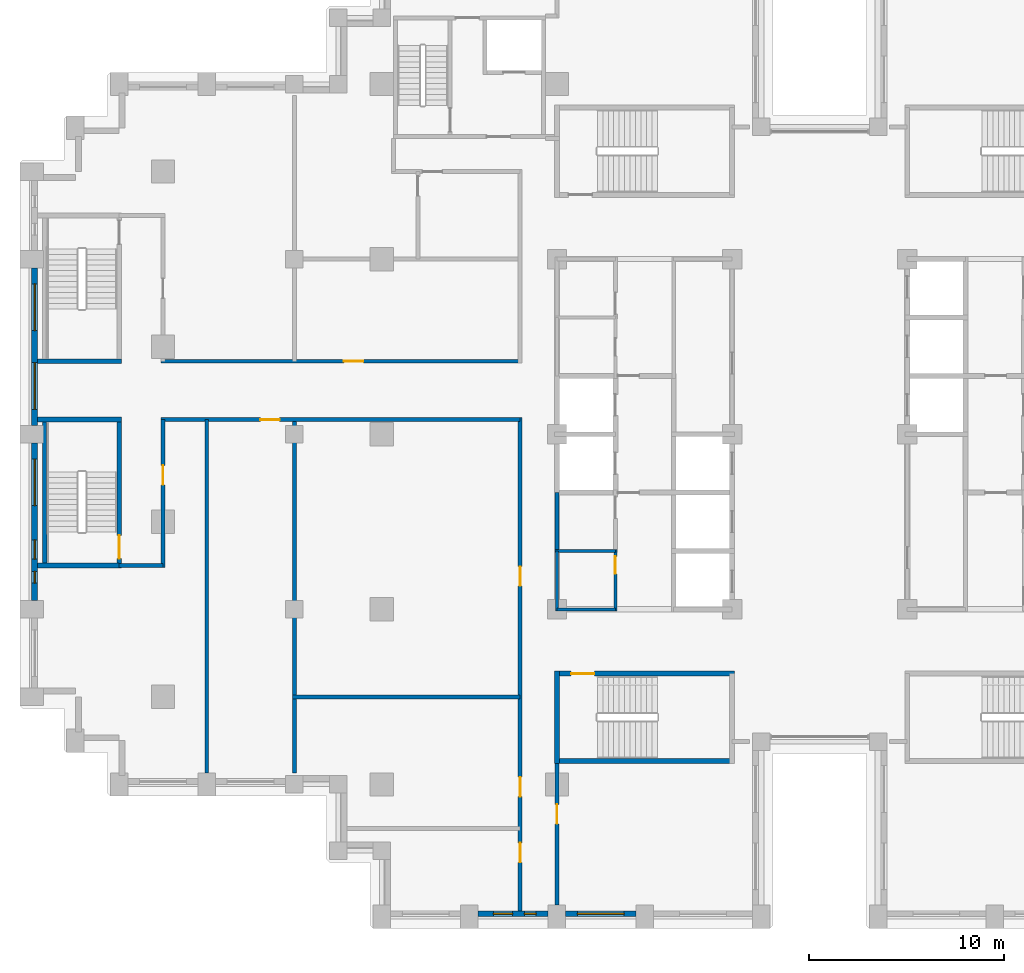
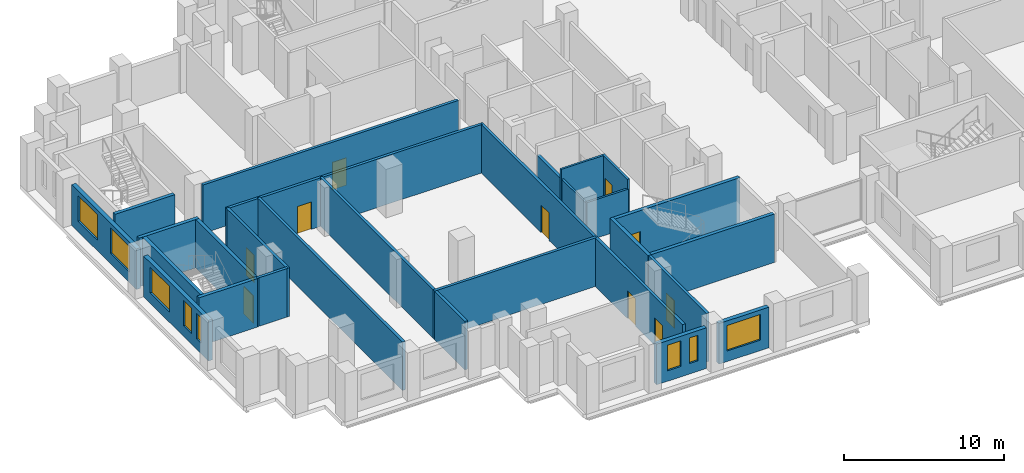
# One storey, part 6 of 15: 26 walls, 10 doors, 8 windows, 18 openings.
"""IFC4 building model written with IfcOpenShell, lengths in metres."""

from ifc_helpers import new_model, si_unit, direction, frame, frame_2d, origin, place, context, subcontext, project, spatial, rectangle, extrude, material, layer, layer_set, type_object, element, fill, save


model = new_model("IFC4")

# Units and contexts
model_context = context("Model", 3, precision=1e-05, world=origin(), true_north=direction((0.0, 1.0)))
body_context = subcontext(model_context, "Body", "Model", "MODEL_VIEW")
ifc_project = project(units=[si_unit("LENGTHUNIT", "METRE"), si_unit("AREAUNIT", "SQUARE_METRE"), si_unit("VOLUMEUNIT", "CUBIC_METRE"), si_unit("PLANEANGLEUNIT", "RADIAN"), si_unit("MASSUNIT", "GRAM", prefix="KILO")], contexts=[model_context])

# Site, building, storey
site_placement = place(None, origin())
site = spatial("IfcSite", under=ifc_project, at=site_placement, CompositionType="ELEMENT")
building_placement = place(site_placement, origin())
building = spatial("IfcBuilding", under=site, at=building_placement, Name="Corbelhall Arena Tower", CompositionType="ELEMENT")
storey_placement = place(building_placement, frame((0.0, 0.0, 84.0)))
storey = spatial("IfcBuildingStorey", under=building, at=storey_placement, Name="L13", CompositionType="ELEMENT", Elevation=84.0)

# Wall, openings, windows
ifc_material_1 = material(Name="Precast concrete C40/50 with granite facing", Category="masonry")
ifc_layer_1 = layer(ifc_material_1, 0.300048828125)
ifc_layer_set_1 = layer_set([ifc_layer_1], Name="EV-IW1 Infill panel 300")
wall_type_1 = type_object("IfcWallType", Name="EV-IW1 Infill panel 300", PredefinedType="SOLIDWALL", material=ifc_layer_set_1)
wall_1_placement = place(storey_placement, frame((-40.35009765625, 8.550048828125, 0.0), z_axis=(0.0, 0.0, 1.0), x_axis=(0.0, -1.0, 0.0)))
wall_1 = element("IfcWall", 1, at=wall_1_placement, inside=storey, type_object=wall_type_1, Name="Infill panel IW1", PredefinedType="SOLIDWALL", context=body_context, shape_type="SweptSolid", body=[
    extrude(rectangle(XDim=8.10009765625, YDim=0.300048828125, at=frame_2d((4.050048828125, 0.0))), origin(), (0.0, 0.0, 1.0), 3.10009765625),
])
opening_1_placement = place(wall_1_placement, frame((0.824951171875, 0.0, 0.800048828125)))
opening_1 = element("IfcOpeningElement", 2, at=opening_1_placement, cuts=wall_1, Name="Opening WN1", PredefinedType="OPENING", context=body_context, shape_type="SweptSolid", body=[
    extrude(rectangle(XDim=2.39990234375, YDim=1.949951171875, at=frame_2d((1.199951171875, 0.97509765625))), frame((0.0, 0.14990234375, 0.0), z_axis=(0.0, -1.0, 0.0), x_axis=(1.0, 0.0, 0.0)), (0.0, 0.0, 1.0), 0.300048828125),
])
opening_2_placement = place(wall_1_placement, frame((4.875, 0.0, 0.800048828125)))
opening_2 = element("IfcOpeningElement", 3, at=opening_2_placement, cuts=wall_1, Name="Opening WN1", PredefinedType="OPENING", context=body_context, shape_type="SweptSolid", body=[
    extrude(rectangle(XDim=2.39990234375, YDim=1.949951171875, at=frame_2d((1.199951171875, 0.97509765625))), frame((0.0, 0.14990234375, 0.0), z_axis=(0.0, -1.0, 0.0), x_axis=(1.0, 0.0, 0.0)), (0.0, 0.0, 1.0), 0.300048828125),
])
ifc_material_2 = material(Name="Aluminium black anodised", Category="aluminium")
window_type_1 = type_object("IfcWindowType", Name="EV-WN1 Office window", PartitioningType="SINGLE_PANEL", PredefinedType="WINDOW", material=ifc_material_2)
window_1_placement = place(opening_1_placement, origin())
window_1 = element("IfcWindow", 4, at=window_1_placement, inside=storey, type_object=window_type_1, Name="Window WN1", OverallHeight=1.949951171875, OverallWidth=2.39990234375, PartitioningType="SINGLE_PANEL", PredefinedType="WINDOW", context=body_context, shape_type="SweptSolid", body=[
    extrude(rectangle(XDim=2.39990234375, YDim=1.949951171875, at=frame_2d((1.199951171875, 0.97509765625))), frame((0.0, 0.030029296875, 0.0), z_axis=(0.0, -1.0, 0.0), x_axis=(1.0, 0.0, 0.0)), (0.0, 0.0, 1.0), 0.06005859375),
])
fill(opening_1, window_1)
window_2_placement = place(opening_2_placement, origin())
window_2 = element("IfcWindow", 5, at=window_2_placement, inside=storey, type_object=window_type_1, Name="Window WN1", OverallHeight=1.949951171875, OverallWidth=2.39990234375, PartitioningType="SINGLE_PANEL", PredefinedType="WINDOW", context=body_context, shape_type="SweptSolid", body=[
    extrude(rectangle(XDim=2.39990234375, YDim=1.949951171875, at=frame_2d((1.199951171875, 0.97509765625))), frame((0.0, 0.030029296875, 0.0), z_axis=(0.0, -1.0, 0.0), x_axis=(1.0, 0.0, 0.0)), (0.0, 0.0, 1.0), 0.06005859375),
])
fill(opening_2, window_2)

wall_2_placement = place(storey_placement, frame((-40.35009765625, -0.449951171875, 0.0), z_axis=(0.0, 0.0, 1.0), x_axis=(0.0, -1.0, 0.0)))
wall_2 = element("IfcWall", 6, at=wall_2_placement, inside=storey, type_object=wall_type_1, Name="Infill panel IW1", PredefinedType="SOLIDWALL", context=body_context, shape_type="SweptSolid", body=[
    extrude(rectangle(XDim=8.10009765625, YDim=0.300048828125, at=frame_2d((4.050048828125, 0.0))), origin(), (0.0, 0.0, 1.0), 3.10009765625),
])
opening_3_placement = place(wall_2_placement, frame((0.824951171875, 0.0, 0.800048828125)))
opening_3 = element("IfcOpeningElement", 7, at=opening_3_placement, cuts=wall_2, Name="Opening WN1", PredefinedType="OPENING", context=body_context, shape_type="SweptSolid", body=[
    extrude(rectangle(XDim=2.39990234375, YDim=1.949951171875, at=frame_2d((1.199951171875, 0.97509765625))), frame((0.0, 0.14990234375, 0.0), z_axis=(0.0, -1.0, 0.0), x_axis=(1.0, 0.0, 0.0)), (0.0, 0.0, 1.0), 0.300048828125),
])
opening_4_placement = place(wall_2_placement, frame((4.97509765625, 0.0, 0.800048828125)))
opening_4 = element("IfcOpeningElement", 8, at=opening_4_placement, cuts=wall_2, Name="Opening WN6", PredefinedType="OPENING", context=body_context, shape_type="SweptSolid", body=[
    extrude(rectangle(XDim=1.0, YDim=1.949951171875, at=frame_2d((0.5, 0.97509765625))), frame((0.0, 0.14990234375, 0.0), z_axis=(0.0, -1.0, 0.0), x_axis=(1.0, 0.0, 0.0)), (0.0, 0.0, 1.0), 0.300048828125),
])
opening_5_placement = place(wall_2_placement, frame((6.60009765625, 0.0, 0.800048828125)))
opening_5 = element("IfcOpeningElement", 9, at=opening_5_placement, cuts=wall_2, Name="Opening WN5", PredefinedType="OPENING", context=body_context, shape_type="SweptSolid", body=[
    extrude(rectangle(XDim=0.60009765625, YDim=1.949951171875, at=frame_2d((0.300048828125, 0.97509765625))), frame((0.0, 0.14990234375, 0.0), z_axis=(0.0, -1.0, 0.0), x_axis=(1.0, 0.0, 0.0)), (0.0, 0.0, 1.0), 0.300048828125),
])
window_3_placement = place(opening_3_placement, origin())
window_3 = element("IfcWindow", 10, at=window_3_placement, inside=storey, type_object=window_type_1, Name="Window WN1", OverallHeight=1.949951171875, OverallWidth=2.39990234375, PartitioningType="SINGLE_PANEL", PredefinedType="WINDOW", context=body_context, shape_type="SweptSolid", body=[
    extrude(rectangle(XDim=2.39990234375, YDim=1.949951171875, at=frame_2d((1.199951171875, 0.97509765625))), frame((0.0, 0.030029296875, 0.0), z_axis=(0.0, -1.0, 0.0), x_axis=(1.0, 0.0, 0.0)), (0.0, 0.0, 1.0), 0.06005859375),
])
fill(opening_3, window_3)
window_type_2 = type_object("IfcWindowType", Name="EV-WN5 Office window 600", PartitioningType="SINGLE_PANEL", PredefinedType="WINDOW", material=ifc_material_2)
window_4_placement = place(opening_5_placement, origin())
window_4 = element("IfcWindow", 11, at=window_4_placement, inside=storey, type_object=window_type_2, Name="Window WN5", OverallHeight=1.949951171875, OverallWidth=0.60009765625, PartitioningType="SINGLE_PANEL", PredefinedType="WINDOW", context=body_context, shape_type="SweptSolid", body=[
    extrude(rectangle(XDim=0.60009765625, YDim=1.949951171875, at=frame_2d((0.300048828125, 0.97509765625))), frame((0.0, 0.030029296875, 0.0), z_axis=(0.0, -1.0, 0.0), x_axis=(1.0, 0.0, 0.0)), (0.0, 0.0, 1.0), 0.06005859375),
])
fill(opening_5, window_4)
window_type_3 = type_object("IfcWindowType", Name="EV-WN6 Office window 1000", PartitioningType="SINGLE_PANEL", PredefinedType="WINDOW", material=ifc_material_2)
window_5_placement = place(opening_4_placement, origin())
window_5 = element("IfcWindow", 12, at=window_5_placement, inside=storey, type_object=window_type_3, Name="Window WN6", OverallHeight=1.949951171875, OverallWidth=1.0, PartitioningType="SINGLE_PANEL", PredefinedType="WINDOW", context=body_context, shape_type="SweptSolid", body=[
    extrude(rectangle(XDim=1.0, YDim=1.949951171875, at=frame_2d((0.5, 0.97509765625))), frame((0.0, 0.030029296875, 0.0), z_axis=(0.0, -1.0, 0.0), x_axis=(1.0, 0.0, 0.0)), (0.0, 0.0, 1.0), 0.06005859375),
])
fill(opening_4, window_5)

wall_3_placement = place(storey_placement, frame((-17.550048828125, -24.64990234375, 0.0), z_axis=(0.0, 0.0, 1.0), x_axis=(1.0, 0.0, 0.0)))
wall_3 = element("IfcWall", 13, at=wall_3_placement, inside=storey, type_object=wall_type_1, Name="Infill panel IW1", PredefinedType="SOLIDWALL", context=body_context, shape_type="SweptSolid", body=[
    extrude(rectangle(XDim=3.60009765625, YDim=0.300048828125, at=frame_2d((1.800048828125, 0.0))), origin(), (0.0, 0.0, 1.0), 3.10009765625),
])
opening_6_placement = place(wall_3_placement, frame((0.77490234375, 0.0, 0.800048828125)))
opening_6 = element("IfcOpeningElement", 14, at=opening_6_placement, cuts=wall_3, Name="Opening WN6", PredefinedType="OPENING", context=body_context, shape_type="SweptSolid", body=[
    extrude(rectangle(XDim=1.0, YDim=1.949951171875, at=frame_2d((0.5, 0.97509765625))), frame((0.0, 0.14990234375, 0.0), z_axis=(0.0, -1.0, 0.0), x_axis=(1.0, 0.0, 0.0)), (0.0, 0.0, 1.0), 0.300048828125),
])
opening_7_placement = place(wall_3_placement, frame((2.375, 0.0, 0.800048828125)))
opening_7 = element("IfcOpeningElement", 15, at=opening_7_placement, cuts=wall_3, Name="Opening WN5", PredefinedType="OPENING", context=body_context, shape_type="SweptSolid", body=[
    extrude(rectangle(XDim=0.60009765625, YDim=1.949951171875, at=frame_2d((0.300048828125, 0.97509765625))), frame((0.0, 0.14990234375, 0.0), z_axis=(0.0, -1.0, 0.0), x_axis=(1.0, 0.0, 0.0)), (0.0, 0.0, 1.0), 0.300048828125),
])
window_6_placement = place(opening_7_placement, origin())
window_6 = element("IfcWindow", 16, at=window_6_placement, inside=storey, type_object=window_type_2, Name="Window WN5", OverallHeight=1.949951171875, OverallWidth=0.60009765625, PartitioningType="SINGLE_PANEL", PredefinedType="WINDOW", context=body_context, shape_type="SweptSolid", body=[
    extrude(rectangle(XDim=0.60009765625, YDim=1.949951171875, at=frame_2d((0.300048828125, 0.97509765625))), frame((0.0, 0.030029296875, 0.0), z_axis=(0.0, -1.0, 0.0), x_axis=(1.0, 0.0, 0.0)), (0.0, 0.0, 1.0), 0.06005859375),
])
fill(opening_7, window_6)
window_7_placement = place(opening_6_placement, origin())
window_7 = element("IfcWindow", 17, at=window_7_placement, inside=storey, type_object=window_type_3, Name="Window WN6", OverallHeight=1.949951171875, OverallWidth=1.0, PartitioningType="SINGLE_PANEL", PredefinedType="WINDOW", context=body_context, shape_type="SweptSolid", body=[
    extrude(rectangle(XDim=1.0, YDim=1.949951171875, at=frame_2d((0.5, 0.97509765625))), frame((0.0, 0.030029296875, 0.0), z_axis=(0.0, -1.0, 0.0), x_axis=(1.0, 0.0, 0.0)), (0.0, 0.0, 1.0), 0.06005859375),
])
fill(opening_6, window_7)

# Wall, opening, window
wall_4_placement = place(storey_placement, frame((-13.050048828125, -24.64990234375, 0.0), z_axis=(0.0, 0.0, 1.0), x_axis=(1.0, 0.0, 0.0)))
wall_4 = element("IfcWall", 18, at=wall_4_placement, inside=storey, type_object=wall_type_1, Name="Infill panel IW1", PredefinedType="SOLIDWALL", context=body_context, shape_type="SweptSolid", body=[
    extrude(rectangle(XDim=3.60009765625, YDim=0.300048828125, at=frame_2d((1.800048828125, 0.0))), origin(), (0.0, 0.0, 1.0), 3.10009765625),
])
opening_8_placement = place(wall_4_placement, frame((0.60009765625, 0.0, 0.800048828125)))
opening_8 = element("IfcOpeningElement", 19, at=opening_8_placement, cuts=wall_4, Name="Opening WN1", PredefinedType="OPENING", context=body_context, shape_type="SweptSolid", body=[
    extrude(rectangle(XDim=2.39990234375, YDim=1.949951171875, at=frame_2d((1.199951171875, 0.97509765625))), frame((0.0, 0.14990234375, 0.0), z_axis=(0.0, -1.0, 0.0), x_axis=(1.0, 0.0, 0.0)), (0.0, 0.0, 1.0), 0.300048828125),
])
window_8_placement = place(opening_8_placement, origin())
window_8 = element("IfcWindow", 20, at=window_8_placement, inside=storey, type_object=window_type_1, Name="Window WN1", OverallHeight=1.949951171875, OverallWidth=2.39990234375, PartitioningType="SINGLE_PANEL", PredefinedType="WINDOW", context=body_context, shape_type="SweptSolid", body=[
    extrude(rectangle(XDim=2.39990234375, YDim=1.949951171875, at=frame_2d((1.199951171875, 0.97509765625))), frame((0.0, 0.030029296875, 0.0), z_axis=(0.0, -1.0, 0.0), x_axis=(1.0, 0.0, 0.0)), (0.0, 0.0, 1.0), 0.06005859375),
])
fill(opening_8, window_8)

# Wall, opening, door
ifc_material_3 = material(Name="Gypsum board on steel stud, acoustic", Category="steel")
ifc_layer_2 = layer(ifc_material_3, 0.199951171875)
ifc_layer_set_2 = layer_set([ifc_layer_2], Name="IN-W-DM200")
wall_type_2 = type_object("IfcWallType", Name="IN-W-DM200", PredefinedType="PARTITIONING", material=ifc_layer_set_2)
wall_5_placement = place(storey_placement, frame((-33.85009765625, 3.75, 0.0), z_axis=(0.0, 0.0, 1.0), x_axis=(1.0, 0.0, 0.0)))
wall_5 = element("IfcWall", 21, at=wall_5_placement, inside=storey, type_object=wall_type_2, Name="Partition 002", PredefinedType="PARTITIONING", context=body_context, shape_type="SweptSolid", body=[
    extrude(rectangle(XDim=18.4501953125, YDim=0.199951171875, at=frame_2d((9.22509765625, 0.0))), origin(), (0.0, 0.0, 1.0), 3.699951171875),
])
opening_9_placement = place(wall_5_placement, frame((9.39990234375, 0.0, 0.0)))
opening_9 = element("IfcOpeningElement", 22, at=opening_9_placement, cuts=wall_5, Name="Opening 02026", PredefinedType="OPENING", context=body_context, shape_type="SweptSolid", body=[
    extrude(rectangle(XDim=1.0, YDim=2.10009765625, at=frame_2d((0.5, 1.050048828125))), frame((0.0, 0.10009765625, 0.0), z_axis=(0.0, -1.0, 0.0), x_axis=(1.0, 0.0, 0.0)), (0.0, 0.0, 1.0), 0.199951171875),
])
ifc_material_4 = material(Name="Steel door set", Category="steel")
door_type_1 = type_object("IfcDoorType", Name="IN-D-SW100", OperationType="NOTDEFINED", PredefinedType="DOOR", material=ifc_material_4)
door_1_placement = place(opening_9_placement, origin())
door_1 = element("IfcDoor", 23, at=door_1_placement, inside=storey, type_object=door_type_1, Name="Door 026", OperationType="SINGLE_SWING_LEFT", OverallHeight=2.10009765625, OverallWidth=1.0, PredefinedType="DOOR", context=body_context, shape_type="SweptSolid", body=[
    extrude(rectangle(XDim=1.0, YDim=2.10009765625, at=frame_2d((0.5, 1.050048828125))), frame((0.0, 0.02490234375, 0.0), z_axis=(0.0, -1.0, 0.0), x_axis=(1.0, 0.0, 0.0)), (0.0, 0.0, 1.0), 0.050048828125),
])
fill(opening_9, door_1)

# Wall
wall_6_placement = place(storey_placement, frame((-33.75, -6.75, 0.0), z_axis=(0.0, 0.0, 1.0), x_axis=(-1.0, 0.0, 0.0)))
element("IfcWall", 24, at=wall_6_placement, inside=storey, type_object=wall_type_2, Name="Partition 003", PredefinedType="PARTITIONING", context=body_context, shape_type="SweptSolid", body=[
    extrude(rectangle(XDim=2.25, YDim=0.199951171875, at=frame_2d((1.125, 0.0))), origin(), (0.0, 0.0, 1.0), 3.699951171875),
])

# Wall, opening, door
wall_7_placement = place(storey_placement, frame((-33.75, 0.75, 0.0), z_axis=(0.0, 0.0, 1.0), x_axis=(0.0, -1.0, 0.0)))
wall_7 = element("IfcWall", 25, at=wall_7_placement, inside=storey, type_object=wall_type_2, Name="Partition 004", PredefinedType="PARTITIONING", context=body_context, shape_type="SweptSolid", body=[
    extrude(rectangle(XDim=7.60009765625, YDim=0.199951171875, at=frame_2d((3.800048828125, 0.0))), origin(), (0.0, 0.0, 1.0), 3.699951171875),
])
opening_10_placement = place(wall_7_placement, frame((2.35009765625, 0.0, 0.0)))
opening_10 = element("IfcOpeningElement", 26, at=opening_10_placement, cuts=wall_7, Name="Opening 02038", PredefinedType="OPENING", context=body_context, shape_type="SweptSolid", body=[
    extrude(rectangle(XDim=1.0, YDim=2.10009765625, at=frame_2d((0.5, 1.050048828125))), frame((0.0, 0.10009765625, 0.0), z_axis=(0.0, -1.0, 0.0), x_axis=(1.0, 0.0, 0.0)), (0.0, 0.0, 1.0), 0.199951171875),
])
door_2_placement = place(opening_10_placement, origin())
door_2 = element("IfcDoor", 27, at=door_2_placement, inside=storey, type_object=door_type_1, Name="Door 038", OperationType="SINGLE_SWING_LEFT", OverallHeight=2.10009765625, OverallWidth=1.0, PredefinedType="DOOR", context=body_context, shape_type="SweptSolid", body=[
    extrude(rectangle(XDim=1.0, YDim=2.10009765625, at=frame_2d((0.5, 1.050048828125))), frame((0.0, 0.02490234375, 0.0), z_axis=(0.0, -1.0, 0.0), x_axis=(1.0, 0.0, 0.0)), (0.0, 0.0, 1.0), 0.050048828125),
])
fill(opening_10, door_2)

# Wall
wall_8_placement = place(storey_placement, frame((-31.5, 0.75, 0.0), z_axis=(0.0, 0.0, 1.0), x_axis=(0.0, -1.0, 0.0)))
element("IfcWall", 28, at=wall_8_placement, inside=storey, type_object=wall_type_2, Name="Partition 006", PredefinedType="PARTITIONING", context=body_context, shape_type="SweptSolid", body=[
    extrude(rectangle(XDim=18.14990234375, YDim=0.199951171875, at=frame_2d((9.074951171875, 0.0))), origin(), (0.0, 0.0, 1.0), 3.699951171875),
])

# Wall, opening, door
wall_9_placement = place(storey_placement, frame((-15.39990234375, 0.75, 0.0), z_axis=(0.0, 0.0, 1.0), x_axis=(-1.0, 0.0, 0.0)))
wall_9 = element("IfcWall", 29, at=wall_9_placement, inside=storey, type_object=wall_type_2, Name="Partition 007", PredefinedType="PARTITIONING", context=body_context, shape_type="SweptSolid", body=[
    extrude(rectangle(XDim=18.4501953125, YDim=0.199951171875, at=frame_2d((9.22509765625, 0.0))), origin(), (0.0, 0.0, 1.0), 3.699951171875),
])
opening_11_placement = place(wall_9_placement, frame((12.35009765625, 0.0, 0.0)))
opening_11 = element("IfcOpeningElement", 30, at=opening_11_placement, cuts=wall_9, Name="Opening 02039", PredefinedType="OPENING", context=body_context, shape_type="SweptSolid", body=[
    extrude(rectangle(XDim=1.0, YDim=2.10009765625, at=frame_2d((0.5, 1.050048828125))), frame((0.0, 0.10009765625, 0.0), z_axis=(0.0, -1.0, 0.0), x_axis=(1.0, 0.0, 0.0)), (0.0, 0.0, 1.0), 0.199951171875),
])
door_3_placement = place(opening_11_placement, origin())
door_3 = element("IfcDoor", 31, at=door_3_placement, inside=storey, type_object=door_type_1, Name="Door 039", OperationType="SINGLE_SWING_RIGHT", OverallHeight=2.10009765625, OverallWidth=1.0, PredefinedType="DOOR", context=body_context, shape_type="SweptSolid", body=[
    extrude(rectangle(XDim=1.0, YDim=2.10009765625, at=frame_2d((0.5, 1.050048828125))), frame((0.0, 0.02490234375, 0.0), z_axis=(0.0, -1.0, 0.0), x_axis=(1.0, 0.0, 0.0)), (0.0, 0.0, 1.0), 0.050048828125),
])
fill(opening_11, door_3)

# Walls
wall_10_placement = place(storey_placement, frame((-27.10009765625, -13.5, 0.0), z_axis=(0.0, 0.0, 1.0), x_axis=(1.0, 0.0, 0.0)))
element("IfcWall", 32, at=wall_10_placement, inside=storey, type_object=wall_type_2, Name="Partition 008", PredefinedType="PARTITIONING", context=body_context, shape_type="SweptSolid", body=[
    extrude(rectangle(XDim=11.7001953125, YDim=0.199951171875, at=frame_2d((5.85009765625, 0.0))), origin(), (0.0, 0.0, 1.0), 3.699951171875),
])
wall_11_placement = place(storey_placement, frame((-27.0, -17.39990234375, 0.0), z_axis=(0.0, 0.0, 1.0), x_axis=(0.0, 1.0, 0.0)))
element("IfcWall", 33, at=wall_11_placement, inside=storey, type_object=wall_type_2, Name="Partition 010", PredefinedType="PARTITIONING", context=body_context, shape_type="SweptSolid", body=[
    extrude(rectangle(XDim=18.14990234375, YDim=0.199951171875, at=frame_2d((9.074951171875, 0.0))), origin(), (0.0, 0.0, 1.0), 3.699951171875),
])

# Wall, openings, doors
wall_12_placement = place(storey_placement, frame((-15.39990234375, -24.5, 0.0), z_axis=(0.0, 0.0, 1.0), x_axis=(0.0, 1.0, 0.0)))
wall_12 = element("IfcWall", 34, at=wall_12_placement, inside=storey, type_object=wall_type_2, Name="Partition 016", PredefinedType="PARTITIONING", context=body_context, shape_type="SweptSolid", body=[
    extrude(rectangle(XDim=25.35009765625, YDim=0.199951171875, at=frame_2d((12.675048828125, 0.0))), origin(), (0.0, 0.0, 1.0), 3.699951171875),
])
opening_12_placement = place(wall_12_placement, frame((2.5, 0.0, 0.0)))
opening_12 = element("IfcOpeningElement", 35, at=opening_12_placement, cuts=wall_12, Name="Opening 02029", PredefinedType="OPENING", context=body_context, shape_type="SweptSolid", body=[
    extrude(rectangle(XDim=1.0, YDim=2.10009765625, at=frame_2d((0.5, 1.050048828125))), frame((0.0, 0.10009765625, 0.0), z_axis=(0.0, -1.0, 0.0), x_axis=(1.0, 0.0, 0.0)), (0.0, 0.0, 1.0), 0.199951171875),
])
opening_13_placement = place(wall_12_placement, frame((5.875, 0.0, 0.0)))
opening_13 = element("IfcOpeningElement", 36, at=opening_13_placement, cuts=wall_12, Name="Opening 02030", PredefinedType="OPENING", context=body_context, shape_type="SweptSolid", body=[
    extrude(rectangle(XDim=1.0, YDim=2.10009765625, at=frame_2d((0.5, 1.050048828125))), frame((0.0, 0.10009765625, 0.0), z_axis=(0.0, -1.0, 0.0), x_axis=(1.0, 0.0, 0.0)), (0.0, 0.0, 1.0), 0.199951171875),
])
opening_14_placement = place(wall_12_placement, frame((16.699951171875, 0.0, 0.0)))
opening_14 = element("IfcOpeningElement", 37, at=opening_14_placement, cuts=wall_12, Name="Opening 02031", PredefinedType="OPENING", context=body_context, shape_type="SweptSolid", body=[
    extrude(rectangle(XDim=1.0, YDim=2.10009765625, at=frame_2d((0.5, 1.050048828125))), frame((0.0, 0.10009765625, 0.0), z_axis=(0.0, -1.0, 0.0), x_axis=(1.0, 0.0, 0.0)), (0.0, 0.0, 1.0), 0.199951171875),
])
door_4_placement = place(opening_12_placement, origin())
door_4 = element("IfcDoor", 38, at=door_4_placement, inside=storey, type_object=door_type_1, Name="Door 029", OperationType="SINGLE_SWING_RIGHT", OverallHeight=2.10009765625, OverallWidth=1.0, PredefinedType="DOOR", context=body_context, shape_type="SweptSolid", body=[
    extrude(rectangle(XDim=1.0, YDim=2.10009765625, at=frame_2d((0.5, 1.050048828125))), frame((0.0, 0.02490234375, 0.0), z_axis=(0.0, -1.0, 0.0), x_axis=(1.0, 0.0, 0.0)), (0.0, 0.0, 1.0), 0.050048828125),
])
fill(opening_12, door_4)
door_5_placement = place(opening_13_placement, origin())
door_5 = element("IfcDoor", 39, at=door_5_placement, inside=storey, type_object=door_type_1, Name="Door 030", OperationType="SINGLE_SWING_LEFT", OverallHeight=2.10009765625, OverallWidth=1.0, PredefinedType="DOOR", context=body_context, shape_type="SweptSolid", body=[
    extrude(rectangle(XDim=1.0, YDim=2.10009765625, at=frame_2d((0.5, 1.050048828125))), frame((0.0, 0.02490234375, 0.0), z_axis=(0.0, -1.0, 0.0), x_axis=(1.0, 0.0, 0.0)), (0.0, 0.0, 1.0), 0.050048828125),
])
fill(opening_13, door_5)
door_6_placement = place(opening_14_placement, origin())
door_6 = element("IfcDoor", 40, at=door_6_placement, inside=storey, type_object=door_type_1, Name="Door 031", OperationType="SINGLE_SWING_RIGHT", OverallHeight=2.10009765625, OverallWidth=1.0, PredefinedType="DOOR", context=body_context, shape_type="SweptSolid", body=[
    extrude(rectangle(XDim=1.0, YDim=2.10009765625, at=frame_2d((0.5, 1.050048828125))), frame((0.0, 0.02490234375, 0.0), z_axis=(0.0, -1.0, 0.0), x_axis=(1.0, 0.0, 0.0)), (0.0, 0.0, 1.0), 0.050048828125),
])
fill(opening_14, door_6)

# Wall, opening, door
wall_13_placement = place(storey_placement, frame((-13.5, -16.675048828125, 0.0), z_axis=(0.0, 0.0, 1.0), x_axis=(0.0, -1.0, 0.0)))
wall_13 = element("IfcWall", 41, at=wall_13_placement, inside=storey, type_object=wall_type_2, Name="Partition 019", PredefinedType="PARTITIONING", context=body_context, shape_type="SweptSolid", body=[
    extrude(rectangle(XDim=7.52490234375, YDim=0.199951171875, at=frame_2d((3.762451171875, 0.0))), origin(), (0.0, 0.0, 1.0), 3.699951171875),
])
opening_15_placement = place(wall_13_placement, frame((2.35009765625, 0.0, 0.0)))
opening_15 = element("IfcOpeningElement", 42, at=opening_15_placement, cuts=wall_13, Name="Opening 02024", PredefinedType="OPENING", context=body_context, shape_type="SweptSolid", body=[
    extrude(rectangle(XDim=1.0, YDim=2.10009765625, at=frame_2d((0.5, 1.050048828125))), frame((0.0, 0.10009765625, 0.0), z_axis=(0.0, -1.0, 0.0), x_axis=(1.0, 0.0, 0.0)), (0.0, 0.0, 1.0), 0.199951171875),
])
door_7_placement = place(opening_15_placement, origin())
door_7 = element("IfcDoor", 43, at=door_7_placement, inside=storey, type_object=door_type_1, Name="Door 024", OperationType="SINGLE_SWING_LEFT", OverallHeight=2.10009765625, OverallWidth=1.0, PredefinedType="DOOR", context=body_context, shape_type="SweptSolid", body=[
    extrude(rectangle(XDim=1.0, YDim=2.10009765625, at=frame_2d((0.5, 1.050048828125))), frame((0.0, 0.02490234375, 0.0), z_axis=(0.0, -1.0, 0.0), x_axis=(1.0, 0.0, 0.0)), (0.0, 0.0, 1.0), 0.050048828125),
])
fill(opening_15, door_7)

# Walls
ifc_material_5 = material(Name="Concrete block wall", Category="concrete")
ifc_layer_3 = layer(ifc_material_5, 0.199951171875)
ifc_layer_set_3 = layer_set([ifc_layer_3], Name="IN-W-RS200 under beam 762 mm")
wall_type_3 = type_object("IfcWallType", Name="IN-W-RS200 under beam 762 mm", PredefinedType="SOLIDWALL", material=ifc_layer_set_3)
wall_14_placement = place(storey_placement, frame((-13.5, -6.0, 0.0), z_axis=(0.0, 0.0, 1.0), x_axis=(0.0, 1.0, 0.0)))
element("IfcWall", 44, at=wall_14_placement, inside=storey, type_object=wall_type_3, Name="Partition 042", PredefinedType="SOLIDWALL", context=body_context, shape_type="SweptSolid", body=[
    extrude(rectangle(XDim=3.0, YDim=0.199951171875, at=frame_2d((1.5, 0.0))), origin(), (0.0, 0.0, 1.0), 2.93798828125),
])
ifc_material_6 = material(Name="Concrete C40/50", Category="concrete")
ifc_layer_4 = layer(ifc_material_6, 0.25)
ifc_layer_set_4 = layer_set([ifc_layer_4], Name="IN-W-ST250")
wall_type_4 = type_object("IfcWallType", Name="IN-W-ST250", PredefinedType="SOLIDWALL", material=ifc_layer_set_4)
wall_15_placement = place(storey_placement, frame((-40.199951171875, 3.75, 0.0), z_axis=(0.0, 0.0, 1.0), x_axis=(1.0, 0.0, 0.0)))
element("IfcWall", 45, at=wall_15_placement, inside=storey, type_object=wall_type_4, Name="Shaft wall 079", PredefinedType="SOLIDWALL", context=body_context, shape_type="SweptSolid", body=[
    extrude(rectangle(XDim=4.324951171875, YDim=0.25, at=frame_2d((2.16259765625, 0.0))), origin(), (0.0, 0.0, 1.0), 3.699951171875),
])
wall_16_placement = place(storey_placement, frame((-36.0, -6.75, 0.0), z_axis=(0.0, 0.0, 1.0), x_axis=(-1.0, 0.0, 0.0)))
element("IfcWall", 46, at=wall_16_placement, inside=storey, type_object=wall_type_4, Name="Shaft wall 081", PredefinedType="SOLIDWALL", context=body_context, shape_type="SweptSolid", body=[
    extrude(rectangle(XDim=4.199951171875, YDim=0.25, at=frame_2d((2.10009765625, 0.0))), origin(), (0.0, 0.0, 1.0), 3.699951171875),
])

# Wall, opening, door
wall_17_placement = place(storey_placement, frame((-36.0, 0.75, 0.0), z_axis=(0.0, 0.0, 1.0), x_axis=(0.0, -1.0, 0.0)))
wall_17 = element("IfcWall", 47, at=wall_17_placement, inside=storey, type_object=wall_type_4, Name="Shaft wall 082", PredefinedType="SOLIDWALL", context=body_context, shape_type="SweptSolid", body=[
    extrude(rectangle(XDim=7.625, YDim=0.25, at=frame_2d((3.8125, 0.0))), origin(), (0.0, 0.0, 1.0), 3.699951171875),
])
opening_16_placement = place(wall_17_placement, frame((5.949951171875, 0.0, 0.0)))
opening_16 = element("IfcOpeningElement", 48, at=opening_16_placement, cuts=wall_17, Name="Opening 02019", PredefinedType="OPENING", context=body_context, shape_type="SweptSolid", body=[
    extrude(rectangle(XDim=1.199951171875, YDim=2.10009765625, at=frame_2d((0.60009765625, 1.050048828125))), frame((0.0, 0.125, 0.0), z_axis=(0.0, -1.0, 0.0), x_axis=(1.0, 0.0, 0.0)), (0.0, 0.0, 1.0), 0.25),
])
door_type_2 = type_object("IfcDoorType", Name="IN-D-ST120", OperationType="NOTDEFINED", PredefinedType="DOOR", material=ifc_material_4)
door_8_placement = place(opening_16_placement, origin())
door_8 = element("IfcDoor", 49, at=door_8_placement, inside=storey, type_object=door_type_2, Name="Door 019", OperationType="SINGLE_SWING_RIGHT", OverallHeight=2.10009765625, OverallWidth=1.199951171875, PredefinedType="DOOR", context=body_context, shape_type="SweptSolid", body=[
    extrude(rectangle(XDim=1.199951171875, YDim=2.10009765625, at=frame_2d((0.60009765625, 1.050048828125))), frame((0.0, 0.02490234375, 0.0), z_axis=(0.0, -1.0, 0.0), x_axis=(1.0, 0.0, 0.0)), (0.0, 0.0, 1.0), 0.050048828125),
])
fill(opening_16, door_8)

# Walls
wall_18_placement = place(storey_placement, frame((-35.875, 0.75, 0.0), z_axis=(0.0, 0.0, 1.0), x_axis=(-1.0, 0.0, 0.0)))
element("IfcWall", 50, at=wall_18_placement, inside=storey, type_object=wall_type_4, Name="Shaft wall 084", PredefinedType="SOLIDWALL", context=body_context, shape_type="SweptSolid", body=[
    extrude(rectangle(XDim=4.324951171875, YDim=0.25, at=frame_2d((2.16259765625, 0.0))), origin(), (0.0, 0.0, 1.0), 3.699951171875),
])
wall_19_placement = place(storey_placement, frame((-13.5, -12.175048828125, 0.0), z_axis=(0.0, 0.0, 1.0), x_axis=(0.0, -1.0, 0.0)))
element("IfcWall", 51, at=wall_19_placement, inside=storey, type_object=wall_type_4, Name="Shaft wall 085", PredefinedType="SOLIDWALL", context=body_context, shape_type="SweptSolid", body=[
    extrude(rectangle(XDim=4.75, YDim=0.25, at=frame_2d((2.375, 0.0))), origin(), (0.0, 0.0, 1.0), 3.699951171875),
])
wall_20_placement = place(storey_placement, frame((-4.5, -16.800048828125, 0.0), z_axis=(0.0, 0.0, 1.0), x_axis=(-1.0, 0.0, 0.0)))
element("IfcWall", 52, at=wall_20_placement, inside=storey, type_object=wall_type_4, Name="Shaft wall 089", PredefinedType="SOLIDWALL", context=body_context, shape_type="SweptSolid", body=[
    extrude(rectangle(XDim=9.0, YDim=0.25, at=frame_2d((4.5, 0.0))), origin(), (0.0, 0.0, 1.0), 3.699951171875),
])

# Wall, opening, door
wall_21_placement = place(storey_placement, frame((-4.375, -12.300048828125, 0.0), z_axis=(0.0, 0.0, 1.0), x_axis=(-1.0, 0.0, 0.0)))
wall_21 = element("IfcWall", 53, at=wall_21_placement, inside=storey, type_object=wall_type_4, Name="Shaft wall 092", PredefinedType="SOLIDWALL", context=body_context, shape_type="SweptSolid", body=[
    extrude(rectangle(XDim=9.125, YDim=0.25, at=frame_2d((4.5625, 0.0))), origin(), (0.0, 0.0, 1.0), 3.699951171875),
])
opening_17_placement = place(wall_21_placement, frame((7.199951171875, 0.0, 0.0)))
opening_17 = element("IfcOpeningElement", 54, at=opening_17_placement, cuts=wall_21, Name="Opening 02015", PredefinedType="OPENING", context=body_context, shape_type="SweptSolid", body=[
    extrude(rectangle(XDim=1.199951171875, YDim=2.10009765625, at=frame_2d((0.60009765625, 1.050048828125))), frame((0.0, 0.125, 0.0), z_axis=(0.0, -1.0, 0.0), x_axis=(1.0, 0.0, 0.0)), (0.0, 0.0, 1.0), 0.25),
])
door_9_placement = place(opening_17_placement, origin())
door_9 = element("IfcDoor", 55, at=door_9_placement, inside=storey, type_object=door_type_2, Name="Door 015", OperationType="SINGLE_SWING_RIGHT", OverallHeight=2.10009765625, OverallWidth=1.199951171875, PredefinedType="DOOR", context=body_context, shape_type="SweptSolid", body=[
    extrude(rectangle(XDim=1.199951171875, YDim=2.10009765625, at=frame_2d((0.60009765625, 1.050048828125))), frame((0.0, 0.02490234375, 0.0), z_axis=(0.0, -1.0, 0.0), x_axis=(1.0, 0.0, 0.0)), (0.0, 0.0, 1.0), 0.050048828125),
])
fill(opening_17, door_9)

# Walls
wall_22_placement = place(storey_placement, frame((-39.824951171875, -6.625, 0.0), z_axis=(0.0, 0.0, 1.0), x_axis=(0.0, 1.0, 0.0)))
element("IfcWall", 56, at=wall_22_placement, inside=storey, type_object=wall_type_4, Name="Shaft wall SC2 facade side", PredefinedType="SOLIDWALL", context=body_context, shape_type="SweptSolid", body=[
    extrude(rectangle(XDim=7.25, YDim=0.25, at=frame_2d((3.625, 0.0))), origin(), (0.0, 0.0, 1.0), 3.699951171875),
])
ifc_material_7 = material(Name="Gypsum board on steel stud, moisture resistant", Category="steel")
ifc_layer_5 = layer(ifc_material_7, 0.14990234375)
ifc_layer_set_5 = layer_set([ifc_layer_5], Name="IN-W-WC150")
wall_type_5 = type_object("IfcWallType", Name="IN-W-WC150", PredefinedType="PARTITIONING", material=ifc_layer_set_5)
wall_23_placement = place(storey_placement, frame((-13.60009765625, -6.0, 0.0), z_axis=(0.0, 0.0, 1.0), x_axis=(1.0, 0.0, 0.0)))
element("IfcWall", 57, at=wall_23_placement, inside=storey, type_object=wall_type_5, Name="Partition 107", PredefinedType="PARTITIONING", context=body_context, shape_type="SweptSolid", body=[
    extrude(rectangle(XDim=3.10009765625, YDim=0.14990234375, at=frame_2d((1.550048828125, 0.0))), origin(), (0.0, 0.0, 1.0), 3.699951171875),
])

# Wall, opening, door
wall_24_placement = place(storey_placement, frame((-10.5, -9.074951171875, 0.0), z_axis=(0.0, 0.0, 1.0), x_axis=(0.0, 1.0, 0.0)))
wall_24 = element("IfcWall", 58, at=wall_24_placement, inside=storey, type_object=wall_type_5, Name="Partition 111", PredefinedType="PARTITIONING", context=body_context, shape_type="SweptSolid", body=[
    extrude(rectangle(XDim=3.14990234375, YDim=0.14990234375, at=frame_2d((1.574951171875, 0.0))), origin(), (0.0, 0.0, 1.0), 3.699951171875),
])
opening_18_placement = place(wall_24_placement, frame((1.89990234375, 0.0, 0.0)))
opening_18 = element("IfcOpeningElement", 59, at=opening_18_placement, cuts=wall_24, Name="Opening 02004", PredefinedType="OPENING", context=body_context, shape_type="SweptSolid", body=[
    extrude(rectangle(XDim=0.89990234375, YDim=2.10009765625, at=frame_2d((0.449951171875, 1.050048828125))), frame((0.0, 0.074951171875, 0.0), z_axis=(0.0, -1.0, 0.0), x_axis=(1.0, 0.0, 0.0)), (0.0, 0.0, 1.0), 0.14990234375),
])
ifc_material_8 = material(Name="Timber door set", Category="wood")
door_type_3 = type_object("IfcDoorType", Name="IN-D-SW90", OperationType="NOTDEFINED", PredefinedType="DOOR", material=ifc_material_8)
door_10_placement = place(opening_18_placement, origin())
door_10 = element("IfcDoor", 60, at=door_10_placement, inside=storey, type_object=door_type_3, Name="Door 004", OperationType="SINGLE_SWING_LEFT", OverallHeight=2.10009765625, OverallWidth=0.89990234375, PredefinedType="DOOR", context=body_context, shape_type="SweptSolid", body=[
    extrude(rectangle(XDim=0.89990234375, YDim=2.10009765625, at=frame_2d((0.449951171875, 1.050048828125))), frame((0.0, 0.02490234375, 0.0), z_axis=(0.0, -1.0, 0.0), x_axis=(1.0, 0.0, 0.0)), (0.0, 0.0, 1.0), 0.050048828125),
])
fill(opening_18, door_10)

# Walls
ifc_layer_6 = layer(ifc_material_7, 0.14990234375)
ifc_layer_set_6 = layer_set([ifc_layer_6], Name="IN-W-WC150 under beam 762 mm")
wall_type_6 = type_object("IfcWallType", Name="IN-W-WC150 under beam 762 mm", PredefinedType="PARTITIONING", material=ifc_layer_set_6)
wall_25_placement = place(storey_placement, frame((-13.5, -9.074951171875, 0.0), z_axis=(0.0, 0.0, 1.0), x_axis=(0.0, 1.0, 0.0)))
element("IfcWall", 61, at=wall_25_placement, inside=storey, type_object=wall_type_6, Name="Partition 109", PredefinedType="PARTITIONING", context=body_context, shape_type="SweptSolid", body=[
    extrude(rectangle(XDim=3.074951171875, YDim=0.14990234375, at=frame_2d((1.53759765625, 0.0))), origin(), (0.0, 0.0, 1.0), 2.93798828125),
])
wall_26_placement = place(storey_placement, frame((-10.5, -9.0, 0.0), z_axis=(0.0, 0.0, 1.0), x_axis=(-1.0, 0.0, 0.0)))
element("IfcWall", 62, at=wall_26_placement, inside=storey, type_object=wall_type_6, Name="Partition 112", PredefinedType="PARTITIONING", context=body_context, shape_type="SweptSolid", body=[
    extrude(rectangle(XDim=3.0, YDim=0.14990234375, at=frame_2d((1.5, 0.0))), origin(), (0.0, 0.0, 1.0), 2.93798828125),
])

save(model, "model.ifc")
